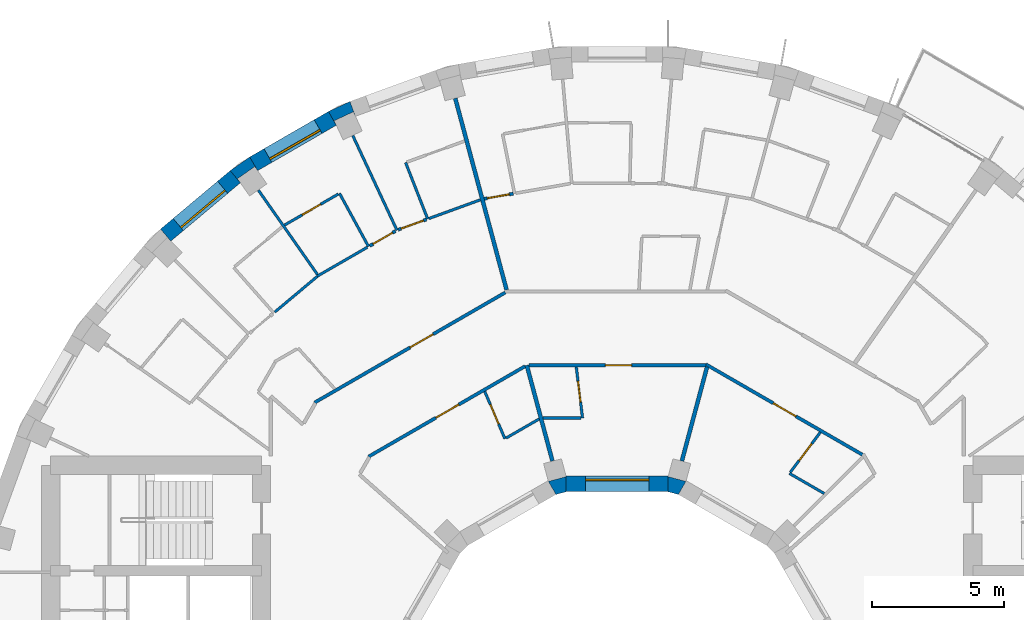
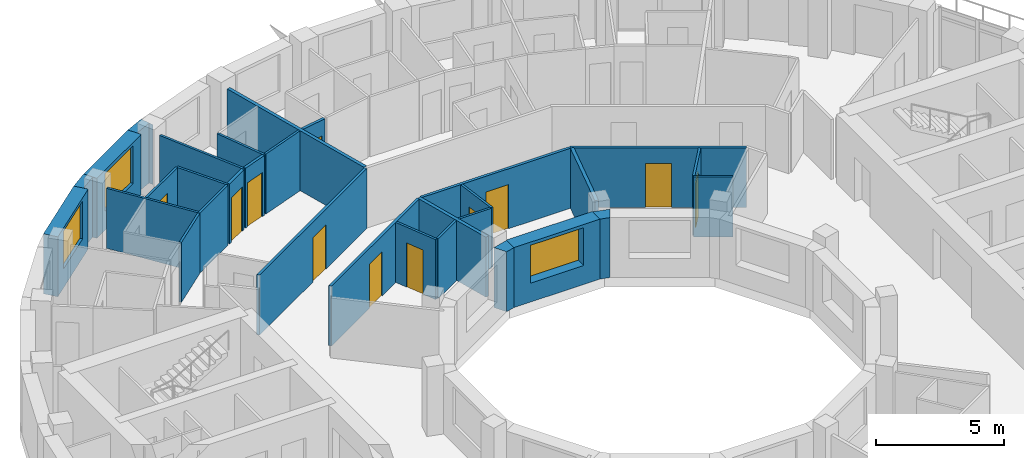
# One storey, part 11 of 15: 31 walls, 11 doors, 3 windows, 14 openings.
"""IFC4 building model written with IfcOpenShell, lengths in metres."""

from ifc_helpers import new_model, si_unit, direction, frame, frame_2d, origin, place, context, subcontext, project, spatial, polyline, rectangle, outline, extrude, material, layer, layer_set, type_object, element, fill, save


model = new_model("IFC4")

# Units and contexts
model_context = context("Model", 3, precision=1e-05, world=origin(), true_north=direction((0.0, 1.0)))
body_context = subcontext(model_context, "Body", "Model", "MODEL_VIEW")
ifc_project = project(units=[si_unit("LENGTHUNIT", "METRE"), si_unit("AREAUNIT", "SQUARE_METRE"), si_unit("VOLUMEUNIT", "CUBIC_METRE"), si_unit("PLANEANGLEUNIT", "RADIAN"), si_unit("MASSUNIT", "GRAM", prefix="KILO")], contexts=[model_context])

# Site, building, storey
site_placement = place(None, origin())
site = spatial("IfcSite", under=ifc_project, at=site_placement, CompositionType="ELEMENT")
building_placement = place(site_placement, origin())
building = spatial("IfcBuilding", under=site, at=building_placement, Name="Saqina Gate Tower", CompositionType="ELEMENT")
storey_placement = place(building_placement, frame((0.0, 0.0, 197.10009765625)))
storey = spatial("IfcBuildingStorey", under=building, at=storey_placement, Name="L56", CompositionType="ELEMENT", Elevation=197.10009765625)

# Walls
ifc_material_1 = material(Name="Brick masonry (buff)", Category="masonry")
wall_type_1 = type_object("IfcWallType", Name="BRICK PIER COPING BUFF", PredefinedType="SOLIDWALL", material=ifc_material_1)
wall_1_placement = place(storey_placement, origin())
element("IfcWall", 1, at=wall_1_placement, inside=storey, type_object=wall_type_1, Name="Pier cap L56 column 12", PredefinedType="SOLIDWALL", context=body_context, shape_type="SweptSolid", body=[
    extrude(outline(polyline([(-10.958740234375, 22.4306640625), (-10.65869140625, 21.9111328125), (-10.73779296875, 22.080810546875), (-10.0126953125, 22.4189453125), (-9.93359375, 22.249267578125), (-10.138916015625, 22.81298828125), (-10.958740234375, 22.4306640625)])), origin(), (0.0, 0.0, 1.0), 2.849853515625),
])
wall_2_placement = place(storey_placement, origin())
element("IfcWall", 2, at=wall_2_placement, inside=storey, type_object=wall_type_1, Name="Pier cap L56 column 13", PredefinedType="SOLIDWALL", context=body_context, shape_type="SweptSolid", body=[
    extrude(outline(polyline([(-13.9462890625, 20.705810546875), (-14.687255859375, 20.18701171875), (-14.301513671875, 19.727294921875), (-14.408935546875, 19.880859375), (-13.753662109375, 20.339599609375), (-13.646240234375, 20.186279296875), (-13.9462890625, 20.705810546875)])), origin(), (0.0, 0.0, 1.0), 2.849853515625),
])

# Wall, opening, window
ifc_material_2 = material(Name="Brick masonry (buff)", Category="masonry")
ifc_layer_1 = layer(ifc_material_2, 0.60009765625)
ifc_layer_set_1 = layer_set([ifc_layer_1], Name="FW-BRICK-BUFF")
wall_type_2 = type_object("IfcWallType", Name="FW-BRICK-BUFF", PredefinedType="SOLIDWALL", material=ifc_layer_set_1)
wall_3_placement = place(storey_placement, frame((-10.80859375, 22.1708984375, 0.0), z_axis=(0.0, 0.0, 1.0), x_axis=(-0.86602648383, -0.499998129301, 0.0)))
wall_3 = element("IfcWall", 3, at=wall_3_placement, inside=storey, type_object=wall_type_2, Name="Facade wall L56 facet 12", PredefinedType="SOLIDWALL", context=body_context, shape_type="SweptSolid", body=[
    extrude(rectangle(XDim=3.44970703125, YDim=0.60009765625, at=frame_2d((1.724853515625, 0.0))), origin(), (0.0, 0.0, 1.0), 2.849853515625),
])
opening_1_placement = place(wall_3_placement, frame((0.625, 0.0, 0.89990234375)))
opening_1 = element("IfcOpeningElement", 4, at=opening_1_placement, cuts=wall_3, Name="Opening G16-W06", PredefinedType="OPENING", context=body_context, shape_type="SweptSolid", body=[
    extrude(rectangle(XDim=2.199951171875, YDim=1.800048828125, at=frame_2d((1.10009765625, 0.89990234375))), frame((0.0, 0.31201171875, 0.0), z_axis=(0.0, -1.0, 0.0), x_axis=(1.0, 0.0, 0.0)), (0.0, 0.0, 1.0), 0.6240234375),
])
ifc_material_3 = material(Name="Aluminium glazing", Category="aluminium")
window_type_1 = type_object("IfcWindowType", Name="WN-C", PartitioningType="SINGLE_PANEL", PredefinedType="WINDOW", material=ifc_material_3)
window_1_placement = place(opening_1_placement, origin())
window_1 = element("IfcWindow", 5, at=window_1_placement, inside=storey, type_object=window_type_1, Name="Window L56 facet 12", OverallHeight=1.800048828125, OverallWidth=2.199951171875, PartitioningType="SINGLE_PANEL", PredefinedType="WINDOW", context=body_context, shape_type="SweptSolid", body=[
    extrude(rectangle(XDim=2.199951171875, YDim=1.800048828125, at=frame_2d((1.10009765625, 0.89990234375))), frame((0.0, 0.179931640625, 0.0), z_axis=(0.0, -1.0, 0.0), x_axis=(1.0, 0.0, 0.0)), (0.0, 0.0, 1.0), 0.06005859375),
])
fill(opening_1, window_1)

wall_4_placement = place(storey_placement, frame((-14.494384765625, 19.95703125, 0.0), z_axis=(0.0, 0.0, 1.0), x_axis=(-0.766058884809, -0.642770398358, 0.0)))
wall_4 = element("IfcWall", 6, at=wall_4_placement, inside=storey, type_object=wall_type_2, Name="Facade wall L56 facet 13", PredefinedType="SOLIDWALL", context=body_context, shape_type="SweptSolid", body=[
    extrude(rectangle(XDim=3.449462890625, YDim=0.60009765625, at=frame_2d((1.724609375, 0.0))), origin(), (0.0, 0.0, 1.0), 2.849853515625),
])
opening_2_placement = place(wall_4_placement, frame((0.625, 0.0, 0.89990234375)))
opening_2 = element("IfcOpeningElement", 7, at=opening_2_placement, cuts=wall_4, Name="Opening G16-W07", PredefinedType="OPENING", context=body_context, shape_type="SweptSolid", body=[
    extrude(rectangle(XDim=2.199951171875, YDim=1.800048828125, at=frame_2d((1.10009765625, 0.89990234375))), frame((0.0, 0.31201171875, 0.0), z_axis=(0.0, -1.0, 0.0), x_axis=(1.0, 0.0, 0.0)), (0.0, 0.0, 1.0), 0.6240234375),
])
window_2_placement = place(opening_2_placement, origin())
window_2 = element("IfcWindow", 8, at=window_2_placement, inside=storey, type_object=window_type_1, Name="Window L56 facet 13", OverallHeight=1.800048828125, OverallWidth=2.199951171875, PartitioningType="SINGLE_PANEL", PredefinedType="WINDOW", context=body_context, shape_type="SweptSolid", body=[
    extrude(rectangle(XDim=2.199951171875, YDim=1.800048828125, at=frame_2d((1.10009765625, 0.89990234375))), frame((0.0, 0.179931640625, 0.0), z_axis=(0.0, -1.0, 0.0), x_axis=(1.0, 0.0, 0.0)), (0.0, 0.0, 1.0), 0.06005859375),
])
fill(opening_2, window_2)

ifc_material_4 = material(Name="Glazed ceramic tile", Category="ceramic")
ifc_layer_2 = layer(ifc_material_4, 0.60009765625)
ifc_layer_set_2 = layer_set([ifc_layer_2], Name="IW-TILE")
wall_type_3 = type_object("IfcWallType", Name="IW-TILE", PredefinedType="SOLIDWALL", material=ifc_layer_set_2)
wall_5_placement = place(storey_placement, frame((1.934814453125, 8.300048828125, 0.0), z_axis=(0.0, 0.0, 1.0), x_axis=(-1.0, 0.0, 0.0)))
wall_5 = element("IfcWall", 9, at=wall_5_placement, inside=storey, type_object=wall_type_3, Name="Well wall L56 facet 3", PredefinedType="SOLIDWALL", context=body_context, shape_type="SweptSolid", body=[
    extrude(rectangle(XDim=3.86962890625, YDim=0.60009765625, at=frame_2d((1.934814453125, 0.0))), origin(), (0.0, 0.0, 1.0), 2.849853515625),
])
opening_3_placement = place(wall_5_placement, frame((0.73486328125, 0.0, 0.89990234375)))
opening_3 = element("IfcOpeningElement", 10, at=opening_3_placement, cuts=wall_5, Name="Opening G16-W25", PredefinedType="OPENING", context=body_context, shape_type="SweptSolid", body=[
    extrude(rectangle(XDim=2.39990234375, YDim=1.800048828125, at=frame_2d((1.199951171875, 0.89990234375))), frame((0.0, 0.31201171875, 0.0), z_axis=(0.0, -1.0, 0.0), x_axis=(1.0, 0.0, 0.0)), (0.0, 0.0, 1.0), 0.6240234375),
])
ifc_material_5 = material(Name="Aluminium glazing", Category="aluminium")
window_type_2 = type_object("IfcWindowType", Name="WN-W", PartitioningType="SINGLE_PANEL", PredefinedType="WINDOW", material=ifc_material_5)
window_3_placement = place(opening_3_placement, origin())
window_3 = element("IfcWindow", 11, at=window_3_placement, inside=storey, type_object=window_type_2, Name="Well window L56 facet 3", OverallHeight=1.800048828125, OverallWidth=2.39990234375, PartitioningType="SINGLE_PANEL", PredefinedType="WINDOW", context=body_context, shape_type="SweptSolid", body=[
    extrude(rectangle(XDim=2.39990234375, YDim=1.800048828125, at=frame_2d((1.199951171875, 0.89990234375))), frame((0.0, -0.119873046875, 0.0), z_axis=(0.0, -1.0, 0.0), x_axis=(1.0, 0.0, 0.0)), (0.0, 0.0, 1.0), 0.06005859375),
])
fill(opening_3, window_3)

# Wall, opening, door
ifc_material_6 = material(Name="Gypsum board on steel studs, 100 mm", Category="steel")
ifc_layer_3 = layer(ifc_material_6, 0.10009765625)
ifc_layer_set_3 = layer_set([ifc_layer_3], Name="PARTITION 100")
wall_type_4 = type_object("IfcWallType", Name="PARTITION 100", PredefinedType="PARTITIONING", material=ifc_layer_set_3)
wall_6_placement = place(storey_placement, frame((-1.551513671875, 12.738037109375, 0.0), z_axis=(0.0, 0.0, 1.0), x_axis=(0.121171579545, -0.992631577329, 0.0)))
wall_6 = element("IfcWall", 12, at=wall_6_placement, inside=storey, type_object=wall_type_4, Name="PARTITION PW3-05", PredefinedType="PARTITIONING", context=body_context, shape_type="SweptSolid", body=[
    extrude(rectangle(XDim=1.952392578125, YDim=0.10009765625, at=frame_2d((0.97607421875, 0.0))), origin(), (0.0, 0.0, 1.0), 2.849853515625),
])
opening_4_placement = place(wall_6_placement, frame((0.544921875, 0.0, 0.0)))
opening_4 = element("IfcOpeningElement", 13, at=opening_4_placement, cuts=wall_6, Name="Opening G16-D18", PredefinedType="OPENING", context=body_context, shape_type="SweptSolid", body=[
    extrude(rectangle(XDim=0.800048828125, YDim=2.10009765625, at=frame_2d((0.39990234375, 1.050048828125))), frame((0.0, 0.06201171875, 0.0), z_axis=(0.0, -1.0, 0.0), x_axis=(1.0, 0.0, 0.0)), (0.0, 0.0, 1.0), 0.1240234375),
])
ifc_material_7 = material(Name="Timber door leaf, 800 mm", Category="wood")
door_type_1 = type_object("IfcDoorType", Name="DOOR 800 TIMBER", OperationType="SINGLE_SWING_LEFT", PredefinedType="DOOR", material=ifc_material_7)
door_1_placement = place(opening_4_placement, origin())
door_1 = element("IfcDoor", 14, at=door_1_placement, inside=storey, type_object=door_type_1, Name="DOOR G16-D18", OperationType="SINGLE_SWING_LEFT", OverallHeight=2.10009765625, OverallWidth=0.800048828125, PredefinedType="DOOR", context=body_context, shape_type="SweptSolid", body=[
    extrude(rectangle(XDim=0.800048828125, YDim=2.10009765625, at=frame_2d((0.39990234375, 1.050048828125))), frame((0.0, 0.02490234375, 0.0), z_axis=(0.0, -1.0, 0.0), x_axis=(1.0, 0.0, 0.0)), (0.0, 0.0, 1.0), 0.050048828125),
])
fill(opening_4, door_1)

# Wall
wall_7_placement = place(storey_placement, frame((-8.030029296875, 20.493896484375, 0.0), z_axis=(0.0, 0.0, 1.0), x_axis=(0.364775478286, -0.931095510912, 0.0)))
element("IfcWall", 15, at=wall_7_placement, inside=storey, type_object=wall_type_4, Name="PARTITION PW3-10", PredefinedType="PARTITIONING", context=body_context, shape_type="SweptSolid", body=[
    extrude(rectangle(XDim=2.30029296875, YDim=0.10009765625, at=frame_2d((1.150146484375, 0.0))), origin(), (0.0, 0.0, 1.0), 2.849853515625),
])

# Wall, opening, door
wall_8_placement = place(storey_placement, frame((-5.025634765625, 11.806396484375, 0.0), z_axis=(0.0, 0.0, 1.0), x_axis=(0.391834610446, -0.920035672165, 0.0)))
wall_8 = element("IfcWall", 16, at=wall_8_placement, inside=storey, type_object=wall_type_4, Name="PARTITION PW3-12", PredefinedType="PARTITIONING", context=body_context, shape_type="SweptSolid", body=[
    extrude(rectangle(XDim=1.951416015625, YDim=0.10009765625, at=frame_2d((0.9755859375, 0.0))), origin(), (0.0, 0.0, 1.0), 2.849853515625),
])
opening_5_placement = place(wall_8_placement, frame((0.54443359375, 0.0, 0.0)))
opening_5 = element("IfcOpeningElement", 17, at=opening_5_placement, cuts=wall_8, Name="Opening G16-D22", PredefinedType="OPENING", context=body_context, shape_type="SweptSolid", body=[
    extrude(rectangle(XDim=0.800048828125, YDim=2.10009765625, at=frame_2d((0.39990234375, 1.050048828125))), frame((0.0, 0.06201171875, 0.0), z_axis=(0.0, -1.0, 0.0), x_axis=(1.0, 0.0, 0.0)), (0.0, 0.0, 1.0), 0.1240234375),
])
door_2_placement = place(opening_5_placement, frame((0.800048828125, 0.0, 0.0), z_axis=(0.0, 0.0, 1.0), x_axis=(-1.0, 0.0, 0.0)))
door_2 = element("IfcDoor", 18, at=door_2_placement, inside=storey, type_object=door_type_1, Name="DOOR G16-D22", OperationType="SINGLE_SWING_RIGHT", OverallHeight=2.10009765625, OverallWidth=0.800048828125, PredefinedType="DOOR", context=body_context, shape_type="SweptSolid", body=[
    extrude(rectangle(XDim=0.800048828125, YDim=2.10009765625, at=frame_2d((0.39990234375, 1.050048828125))), frame((0.0, 0.02490234375, 0.0), z_axis=(0.0, -1.0, 0.0), x_axis=(1.0, 0.0, 0.0)), (0.0, 0.0, 1.0), 0.050048828125),
])
fill(opening_5, door_2)

# Walls
wall_9_placement = place(storey_placement, frame((-10.032958984375, 21.515869140625, 0.0), z_axis=(0.0, 0.0, 1.0), x_axis=(0.422733584559, -0.90625400219, 0.0)))
element("IfcWall", 19, at=wall_9_placement, inside=storey, type_object=wall_type_4, Name="PARTITION PW3-13", PredefinedType="PARTITIONING", context=body_context, shape_type="SweptSolid", body=[
    extrude(rectangle(XDim=3.960205078125, YDim=0.10009765625, at=frame_2d((1.97998046875, 0.0))), origin(), (0.0, 0.0, 1.0), 2.849853515625),
])
wall_10_placement = place(storey_placement, frame((-10.5380859375, 19.324951171875, 0.0), z_axis=(0.0, 0.0, 1.0), x_axis=(0.478926465157, -0.877855022753, 0.0)))
element("IfcWall", 20, at=wall_10_placement, inside=storey, type_object=wall_type_4, Name="PARTITION PW3-14", PredefinedType="PARTITIONING", context=body_context, shape_type="SweptSolid", body=[
    extrude(rectangle(XDim=2.301025390625, YDim=0.10009765625, at=frame_2d((1.150390625, 0.0))), origin(), (0.0, 0.0, 1.0), 2.849853515625),
])
wall_11_placement = place(storey_placement, frame((-13.616943359375, 19.446533203125, 0.0), z_axis=(0.0, 0.0, 1.0), x_axis=(0.573546149397, -0.819173250608, 0.0)))
element("IfcWall", 21, at=wall_11_placement, inside=storey, type_object=wall_type_4, Name="PARTITION PW3-18", PredefinedType="PARTITIONING", context=body_context, shape_type="SweptSolid", body=[
    extrude(rectangle(XDim=3.91015625, YDim=0.10009765625, at=frame_2d((1.955078125, 0.0))), origin(), (0.0, 0.0, 1.0), 2.849853515625),
])
wall_12_placement = place(storey_placement, frame((6.5390625, 8.696044921875, 0.0), z_axis=(0.0, 0.0, 1.0), x_axis=(0.86577590921, -0.500431888503, 0.0)))
element("IfcWall", 22, at=wall_12_placement, inside=storey, type_object=wall_type_4, Name="PARTITION PW3-38", PredefinedType="PARTITIONING", context=body_context, shape_type="SweptSolid", body=[
    extrude(rectangle(XDim=1.529052734375, YDim=0.10009765625, at=frame_2d((0.7646484375, 0.0))), origin(), (0.0, 0.0, 1.0), 2.849853515625),
])
wall_13_placement = place(storey_placement, frame((-2.819091796875, 10.800048828125, 0.0), z_axis=(0.0, 0.0, 1.0), x_axis=(1.0, 0.0, 0.0)))
element("IfcWall", 23, at=wall_13_placement, inside=storey, type_object=wall_type_4, Name="PARTITION PW3-55", PredefinedType="PARTITIONING", context=body_context, shape_type="SweptSolid", body=[
    extrude(rectangle(XDim=1.4541015625, YDim=0.10009765625, at=frame_2d((0.72705078125, 0.0))), origin(), (0.0, 0.0, 1.0), 2.849853515625),
])
wall_14_placement = place(storey_placement, frame((-7.14404296875, 18.369140625, 0.0), z_axis=(0.0, 0.0, 1.0), x_axis=(0.939728291625, 0.341922122596, 0.0)))
element("IfcWall", 24, at=wall_14_placement, inside=storey, type_object=wall_type_4, Name="PARTITION PW3-65", PredefinedType="PARTITIONING", context=body_context, shape_type="SweptSolid", body=[
    extrude(rectangle(XDim=2.079833984375, YDim=0.10009765625, at=frame_2d((1.0400390625, 0.0))), origin(), (0.0, 0.0, 1.0), 2.849853515625),
])
wall_15_placement = place(storey_placement, frame((-4.2177734375, 10.035888671875, 0.0), z_axis=(0.0, 0.0, 1.0), x_axis=(0.866084894657, 0.499896944627, 0.0)))
element("IfcWall", 25, at=wall_15_placement, inside=storey, type_object=wall_type_4, Name="PARTITION PW3-71", PredefinedType="PARTITIONING", context=body_context, shape_type="SweptSolid", body=[
    extrude(rectangle(XDim=1.453369140625, YDim=0.10009765625, at=frame_2d((0.7265625, 0.0))), origin(), (0.0, 0.0, 1.0), 2.849853515625),
])
wall_16_placement = place(storey_placement, frame((-11.388916015625, 16.177734375, 0.0), z_axis=(0.0, 0.0, 1.0), x_axis=(0.866074964767, 0.499914148034, 0.0)))
element("IfcWall", 26, at=wall_16_placement, inside=storey, type_object=wall_type_4, Name="PARTITION PW3-73", PredefinedType="PARTITIONING", context=body_context, shape_type="SweptSolid", body=[
    extrude(rectangle(XDim=2.205078125, YDim=0.10009765625, at=frame_2d((1.1025390625, 0.0))), origin(), (0.0, 0.0, 1.0), 2.849853515625),
])

# Wall, opening, door
wall_17_placement = place(storey_placement, frame((-12.626708984375, 18.118896484375, 0.0), z_axis=(0.0, 0.0, 1.0), x_axis=(0.865982457891, 0.500074377092, 0.0)))
wall_17 = element("IfcWall", 27, at=wall_17_placement, inside=storey, type_object=wall_type_4, Name="PARTITION PW3-74", PredefinedType="PARTITIONING", context=body_context, shape_type="SweptSolid", body=[
    extrude(rectangle(XDim=2.362060546875, YDim=0.10009765625, at=frame_2d((1.18115234375, 0.0))), origin(), (0.0, 0.0, 1.0), 2.849853515625),
])
opening_6_placement = place(wall_17_placement, frame((0.781005859375, 0.0, 0.0)))
opening_6 = element("IfcOpeningElement", 28, at=opening_6_placement, cuts=wall_17, Name="Opening G16-D27", PredefinedType="OPENING", context=body_context, shape_type="SweptSolid", body=[
    extrude(rectangle(XDim=0.800048828125, YDim=2.10009765625, at=frame_2d((0.39990234375, 1.050048828125))), frame((0.0, 0.06201171875, 0.0), z_axis=(0.0, -1.0, 0.0), x_axis=(1.0, 0.0, 0.0)), (0.0, 0.0, 1.0), 0.1240234375),
])
door_3_placement = place(opening_6_placement, origin())
door_3 = element("IfcDoor", 29, at=door_3_placement, inside=storey, type_object=door_type_1, Name="DOOR G16-D27", OperationType="SINGLE_SWING_LEFT", OverallHeight=2.10009765625, OverallWidth=0.800048828125, PredefinedType="DOOR", context=body_context, shape_type="SweptSolid", body=[
    extrude(rectangle(XDim=0.800048828125, YDim=2.10009765625, at=frame_2d((0.39990234375, 1.050048828125))), frame((0.0, 0.02490234375, 0.0), z_axis=(0.0, -1.0, 0.0), x_axis=(1.0, 0.0, 0.0)), (0.0, 0.0, 1.0), 0.050048828125),
])
fill(opening_6, door_3)

# Wall
wall_18_placement = place(storey_placement, frame((-12.99560546875, 14.818115234375, 0.0), z_axis=(0.0, 0.0, 1.0), x_axis=(0.766068087891, 0.642759429892, 0.0)))
element("IfcWall", 30, at=wall_18_placement, inside=storey, type_object=wall_type_4, Name="PARTITION PW3-77", PredefinedType="PARTITIONING", context=body_context, shape_type="SweptSolid", body=[
    extrude(rectangle(XDim=2.104736328125, YDim=0.10009765625, at=frame_2d((1.05224609375, 0.0))), origin(), (0.0, 0.0, 1.0), 2.849853515625),
])

# Wall, opening, door
wall_19_placement = place(storey_placement, frame((6.569091796875, 8.73583984375, 0.0), z_axis=(0.0, 0.0, 1.0), x_axis=(0.601088130312, 0.799182744808, 0.0)))
wall_19 = element("IfcWall", 31, at=wall_19_placement, inside=storey, type_object=wall_type_4, Name="PARTITION PW3-85", PredefinedType="PARTITIONING", context=body_context, shape_type="SweptSolid", body=[
    extrude(rectangle(XDim=1.901611328125, YDim=0.10009765625, at=frame_2d((0.95068359375, 0.0))), origin(), (0.0, 0.0, 1.0), 2.849853515625),
])
opening_7_placement = place(wall_19_placement, frame((0.557373046875, 0.0, 0.0)))
opening_7 = element("IfcOpeningElement", 32, at=opening_7_placement, cuts=wall_19, Name="Opening G16-D04", PredefinedType="OPENING", context=body_context, shape_type="SweptSolid", body=[
    extrude(rectangle(XDim=0.800048828125, YDim=2.10009765625, at=frame_2d((0.39990234375, 1.050048828125))), frame((0.0, 0.06201171875, 0.0), z_axis=(0.0, -1.0, 0.0), x_axis=(1.0, 0.0, 0.0)), (0.0, 0.0, 1.0), 0.1240234375),
])
door_4_placement = place(opening_7_placement, origin())
door_4 = element("IfcDoor", 33, at=door_4_placement, inside=storey, type_object=door_type_1, Name="DOOR G16-D04", OperationType="SINGLE_SWING_RIGHT", OverallHeight=2.10009765625, OverallWidth=0.800048828125, PredefinedType="DOOR", context=body_context, shape_type="SweptSolid", body=[
    extrude(rectangle(XDim=0.800048828125, YDim=2.10009765625, at=frame_2d((0.39990234375, 1.050048828125))), frame((0.0, 0.02490234375, 0.0), z_axis=(0.0, -1.0, 0.0), x_axis=(1.0, 0.0, 0.0)), (0.0, 0.0, 1.0), 0.050048828125),
])
fill(opening_7, door_4)

ifc_material_8 = material(Name="Gypsum board on steel studs, 125 mm, fire rated", Category="steel")
ifc_layer_4 = layer(ifc_material_8, 0.125)
ifc_layer_set_4 = layer_set([ifc_layer_4], Name="PARTITION EI 30 125")
wall_type_5 = type_object("IfcWallType", Name="PARTITION EI 30 125", PredefinedType="PARTITIONING", material=ifc_layer_set_4)
wall_20_placement = place(storey_placement, frame((3.367431640625, 12.836181640625, 0.0), z_axis=(0.0, 0.0, 1.0), x_axis=(0.865996765544, -0.500049599607, 0.0)))
wall_20 = element("IfcWall", 34, at=wall_20_placement, inside=storey, type_object=wall_type_5, Name="PARTITION PW1-15", PredefinedType="PARTITIONING", context=body_context, shape_type="SweptSolid", body=[
    extrude(rectangle(XDim=6.868896484375, YDim=0.125, at=frame_2d((3.4345703125, 0.0))), origin(), (0.0, 0.0, 1.0), 2.849853515625),
])
opening_8_placement = place(wall_20_placement, frame((2.950927734375, 0.0, 0.0)))
opening_8 = element("IfcOpeningElement", 35, at=opening_8_placement, cuts=wall_20, Name="Opening G16-D06", PredefinedType="OPENING", context=body_context, shape_type="SweptSolid", body=[
    extrude(rectangle(XDim=1.0, YDim=2.10009765625, at=frame_2d((0.5, 1.050048828125))), frame((0.0, 0.074462890625, 0.0), z_axis=(0.0, -1.0, 0.0), x_axis=(1.0, 0.0, 0.0)), (0.0, 0.0, 1.0), 0.14892578125),
])
ifc_material_9 = material(Name="Fire door leaf EI 30, 1000 mm")
door_type_2 = type_object("IfcDoorType", Name="DOOR 1000 EI 30", OperationType="SINGLE_SWING_LEFT", PredefinedType="DOOR", material=ifc_material_9)
door_5_placement = place(opening_8_placement, frame((1.0, 0.0, 0.0), z_axis=(0.0, 0.0, 1.0), x_axis=(-1.0, 0.0, 0.0)))
door_5 = element("IfcDoor", 36, at=door_5_placement, inside=storey, type_object=door_type_2, Name="DOOR G16-D06", OperationType="SINGLE_SWING_LEFT", OverallHeight=2.10009765625, OverallWidth=1.0, PredefinedType="DOOR", context=body_context, shape_type="SweptSolid", body=[
    extrude(rectangle(XDim=1.0, YDim=2.10009765625, at=frame_2d((0.5, 1.050048828125))), frame((0.0, 0.02490234375, 0.0), z_axis=(0.0, -1.0, 0.0), x_axis=(1.0, 0.0, 0.0)), (0.0, 0.0, 1.0), 0.050048828125),
])
fill(opening_8, door_5)

wall_21_placement = place(storey_placement, frame((-3.35498046875, 12.800048828125, 0.0), z_axis=(0.0, 0.0, 1.0), x_axis=(1.0, 0.0, 0.0)))
wall_21 = element("IfcWall", 37, at=wall_21_placement, inside=storey, type_object=wall_type_5, Name="PARTITION PW1-25", PredefinedType="PARTITIONING", context=body_context, shape_type="SweptSolid", body=[
    extrude(rectangle(XDim=6.722412109375, YDim=0.125, at=frame_2d((3.361328125, 0.0))), origin(), (0.0, 0.0, 1.0), 2.849853515625),
])
opening_9_placement = place(wall_21_placement, frame((2.905517578125, 0.0, 0.0)))
opening_9 = element("IfcOpeningElement", 38, at=opening_9_placement, cuts=wall_21, Name="Opening G16-D16", PredefinedType="OPENING", context=body_context, shape_type="SweptSolid", body=[
    extrude(rectangle(XDim=1.0, YDim=2.10009765625, at=frame_2d((0.5, 1.050048828125))), frame((0.0, 0.074462890625, 0.0), z_axis=(0.0, -1.0, 0.0), x_axis=(1.0, 0.0, 0.0)), (0.0, 0.0, 1.0), 0.14892578125),
])
door_6_placement = place(opening_9_placement, frame((1.0, 0.0, 0.0), z_axis=(0.0, 0.0, 1.0), x_axis=(-1.0, 0.0, 0.0)))
door_6 = element("IfcDoor", 39, at=door_6_placement, inside=storey, type_object=door_type_2, Name="DOOR G16-D16", OperationType="SINGLE_SWING_LEFT", OverallHeight=2.10009765625, OverallWidth=1.0, PredefinedType="DOOR", context=body_context, shape_type="SweptSolid", body=[
    extrude(rectangle(XDim=1.0, YDim=2.10009765625, at=frame_2d((0.5, 1.050048828125))), frame((0.0, 0.02490234375, 0.0), z_axis=(0.0, -1.0, 0.0), x_axis=(1.0, 0.0, 0.0)), (0.0, 0.0, 1.0), 0.050048828125),
])
fill(opening_9, door_6)

wall_22_placement = place(storey_placement, frame((-5.045166015625, 19.119140625, 0.0), z_axis=(0.0, 0.0, 1.0), x_axis=(0.984809932548, 0.173635816451, 0.0)))
wall_22 = element("IfcWall", 40, at=wall_22_placement, inside=storey, type_object=wall_type_5, Name="PARTITION PW1-29", PredefinedType="PARTITIONING", context=body_context, shape_type="SweptSolid", body=[
    extrude(rectangle(XDim=1.117919921875, YDim=0.125, at=frame_2d((0.55908203125, 0.0))), origin(), (0.0, 0.0, 1.0), 2.849853515625),
])
opening_10_placement = place(wall_22_placement, frame((0.12158203125, 0.0, 0.0)))
opening_10 = element("IfcOpeningElement", 41, at=opening_10_placement, cuts=wall_22, Name="Opening G16-D20", PredefinedType="OPENING", context=body_context, shape_type="SweptSolid", body=[
    extrude(rectangle(XDim=0.85009765625, YDim=2.10009765625, at=frame_2d((0.425048828125, 1.050048828125))), frame((0.0, 0.074462890625, 0.0), z_axis=(0.0, -1.0, 0.0), x_axis=(1.0, 0.0, 0.0)), (0.0, 0.0, 1.0), 0.14892578125),
])
ifc_material_10 = material(Name="Fire door leaf EI 30, 850 mm")
door_type_3 = type_object("IfcDoorType", Name="DOOR 850 EI 30", OperationType="SINGLE_SWING_LEFT", PredefinedType="DOOR", material=ifc_material_10)
door_7_placement = place(opening_10_placement, frame((0.85009765625, 0.0, 0.0), z_axis=(0.0, 0.0, 1.0), x_axis=(-1.0, 0.0, 0.0)))
door_7 = element("IfcDoor", 42, at=door_7_placement, inside=storey, type_object=door_type_3, Name="DOOR G16-D20", OperationType="SINGLE_SWING_RIGHT", OverallHeight=2.10009765625, OverallWidth=0.85009765625, PredefinedType="DOOR", context=body_context, shape_type="SweptSolid", body=[
    extrude(rectangle(XDim=0.85009765625, YDim=2.10009765625, at=frame_2d((0.425048828125, 1.050048828125))), frame((0.0, 0.02490234375, 0.0), z_axis=(0.0, -1.0, 0.0), x_axis=(1.0, 0.0, 0.0)), (0.0, 0.0, 1.0), 0.050048828125),
])
fill(opening_10, door_7)

wall_23_placement = place(storey_placement, frame((-8.31201171875, 17.944091796875, 0.0), z_axis=(0.0, 0.0, 1.0), x_axis=(0.939699833517, 0.34200032586, 0.0)))
wall_23 = element("IfcWall", 43, at=wall_23_placement, inside=storey, type_object=wall_type_5, Name="PARTITION PW1-31", PredefinedType="PARTITIONING", context=body_context, shape_type="SweptSolid", body=[
    extrude(rectangle(XDim=1.142822265625, YDim=0.125, at=frame_2d((0.5712890625, 0.0))), origin(), (0.0, 0.0, 1.0), 2.849853515625),
])
opening_11_placement = place(wall_23_placement, frame((0.12158203125, 0.0, 0.0)))
opening_11 = element("IfcOpeningElement", 44, at=opening_11_placement, cuts=wall_23, Name="Opening G16-D23", PredefinedType="OPENING", context=body_context, shape_type="SweptSolid", body=[
    extrude(rectangle(XDim=0.89990234375, YDim=2.10009765625, at=frame_2d((0.449951171875, 1.050048828125))), frame((0.0, 0.074462890625, 0.0), z_axis=(0.0, -1.0, 0.0), x_axis=(1.0, 0.0, 0.0)), (0.0, 0.0, 1.0), 0.14892578125),
])
ifc_material_11 = material(Name="Fire door leaf EI 30, 900 mm")
door_type_4 = type_object("IfcDoorType", Name="DOOR 900 EI 30", OperationType="SINGLE_SWING_LEFT", PredefinedType="DOOR", material=ifc_material_11)
door_8_placement = place(opening_11_placement, frame((0.89990234375, 0.0, 0.0), z_axis=(0.0, 0.0, 1.0), x_axis=(-1.0, 0.0, 0.0)))
door_8 = element("IfcDoor", 45, at=door_8_placement, inside=storey, type_object=door_type_4, Name="DOOR G16-D23", OperationType="SINGLE_SWING_RIGHT", OverallHeight=2.10009765625, OverallWidth=0.89990234375, PredefinedType="DOOR", context=body_context, shape_type="SweptSolid", body=[
    extrude(rectangle(XDim=0.89990234375, YDim=2.10009765625, at=frame_2d((0.449951171875, 1.050048828125))), frame((0.0, 0.02490234375, 0.0), z_axis=(0.0, -1.0, 0.0), x_axis=(1.0, 0.0, 0.0)), (0.0, 0.0, 1.0), 0.050048828125),
])
fill(opening_11, door_8)

wall_24_placement = place(storey_placement, frame((-9.432373046875, 9.333984375, 0.0), z_axis=(0.0, 0.0, 1.0), x_axis=(0.865997009199, 0.500049177639, 0.0)))
wall_24 = element("IfcWall", 46, at=wall_24_placement, inside=storey, type_object=wall_type_5, Name="PARTITION PW1-35", PredefinedType="PARTITIONING", context=body_context, shape_type="SweptSolid", body=[
    extrude(rectangle(XDim=6.856201171875, YDim=0.125, at=frame_2d((3.42822265625, 0.0))), origin(), (0.0, 0.0, 1.0), 2.849853515625),
])
opening_12_placement = place(wall_24_placement, frame((2.950927734375, 0.0, 0.0)))
opening_12 = element("IfcOpeningElement", 47, at=opening_12_placement, cuts=wall_24, Name="Opening G16-D26", PredefinedType="OPENING", context=body_context, shape_type="SweptSolid", body=[
    extrude(rectangle(XDim=1.0, YDim=2.10009765625, at=frame_2d((0.5, 1.050048828125))), frame((0.0, 0.074462890625, 0.0), z_axis=(0.0, -1.0, 0.0), x_axis=(1.0, 0.0, 0.0)), (0.0, 0.0, 1.0), 0.14892578125),
])
door_9_placement = place(opening_12_placement, frame((1.0, 0.0, 0.0), z_axis=(0.0, 0.0, 1.0), x_axis=(-1.0, 0.0, 0.0)))
door_9 = element("IfcDoor", 48, at=door_9_placement, inside=storey, type_object=door_type_2, Name="DOOR G16-D26", OperationType="SINGLE_SWING_LEFT", OverallHeight=2.10009765625, OverallWidth=1.0, PredefinedType="DOOR", context=body_context, shape_type="SweptSolid", body=[
    extrude(rectangle(XDim=1.0, YDim=2.10009765625, at=frame_2d((0.5, 1.050048828125))), frame((0.0, 0.02490234375, 0.0), z_axis=(0.0, -1.0, 0.0), x_axis=(1.0, 0.0, 0.0)), (0.0, 0.0, 1.0), 0.050048828125),
])
fill(opening_12, door_9)

wall_25_placement = place(storey_placement, frame((-11.482421875, 11.384033203125, 0.0), z_axis=(0.0, 0.0, 1.0), x_axis=(0.866032345022, 0.499987977232, 0.0)))
wall_25 = element("IfcWall", 49, at=wall_25_placement, inside=storey, type_object=wall_type_5, Name="PARTITION PW1-36", PredefinedType="PARTITIONING", context=body_context, shape_type="SweptSolid", body=[
    extrude(rectangle(XDim=8.357177734375, YDim=0.125, at=frame_2d((4.1787109375, 0.0))), origin(), (0.0, 0.0, 1.0), 2.849853515625),
])
opening_13_placement = place(wall_25_placement, frame((4.18408203125, 0.0, 0.0)))
opening_13 = element("IfcOpeningElement", 50, at=opening_13_placement, cuts=wall_25, Name="Opening G16-D25", PredefinedType="OPENING", context=body_context, shape_type="SweptSolid", body=[
    extrude(rectangle(XDim=1.0, YDim=2.10009765625, at=frame_2d((0.5, 1.050048828125))), frame((0.0, 0.074462890625, 0.0), z_axis=(0.0, -1.0, 0.0), x_axis=(1.0, 0.0, 0.0)), (0.0, 0.0, 1.0), 0.14892578125),
])
door_10_placement = place(opening_13_placement, origin())
door_10 = element("IfcDoor", 51, at=door_10_placement, inside=storey, type_object=door_type_2, Name="DOOR G16-D25", OperationType="SINGLE_SWING_RIGHT", OverallHeight=2.10009765625, OverallWidth=1.0, PredefinedType="DOOR", context=body_context, shape_type="SweptSolid", body=[
    extrude(rectangle(XDim=1.0, YDim=2.10009765625, at=frame_2d((0.5, 1.050048828125))), frame((0.0, 0.02490234375, 0.0), z_axis=(0.0, -1.0, 0.0), x_axis=(1.0, 0.0, 0.0)), (0.0, 0.0, 1.0), 0.050048828125),
])
fill(opening_13, door_10)

wall_26_placement = place(storey_placement, frame((-9.392822265625, 17.330078125, 0.0), z_axis=(0.0, 0.0, 1.0), x_axis=(0.866016678684, 0.500015112013, 0.0)))
wall_26 = element("IfcWall", 52, at=wall_26_placement, inside=storey, type_object=wall_type_5, Name="PARTITION PW1-37", PredefinedType="PARTITIONING", context=body_context, shape_type="SweptSolid", body=[
    extrude(rectangle(XDim=1.13134765625, YDim=0.125, at=frame_2d((0.565673828125, 0.0))), origin(), (0.0, 0.0, 1.0), 2.849853515625),
])
opening_14_placement = place(wall_26_placement, frame((0.14697265625, 0.0, 0.0)))
opening_14 = element("IfcOpeningElement", 53, at=opening_14_placement, cuts=wall_26, Name="Opening G16-D24", PredefinedType="OPENING", context=body_context, shape_type="SweptSolid", body=[
    extrude(rectangle(XDim=0.85009765625, YDim=2.10009765625, at=frame_2d((0.425048828125, 1.050048828125))), frame((0.0, 0.074462890625, 0.0), z_axis=(0.0, -1.0, 0.0), x_axis=(1.0, 0.0, 0.0)), (0.0, 0.0, 1.0), 0.14892578125),
])
door_11_placement = place(opening_14_placement, frame((0.85009765625, 0.0, 0.0), z_axis=(0.0, 0.0, 1.0), x_axis=(-1.0, 0.0, 0.0)))
door_11 = element("IfcDoor", 54, at=door_11_placement, inside=storey, type_object=door_type_3, Name="DOOR G16-D24", OperationType="SINGLE_SWING_LEFT", OverallHeight=2.10009765625, OverallWidth=0.85009765625, PredefinedType="DOOR", context=body_context, shape_type="SweptSolid", body=[
    extrude(rectangle(XDim=0.85009765625, YDim=2.10009765625, at=frame_2d((0.425048828125, 1.050048828125))), frame((0.0, 0.02490234375, 0.0), z_axis=(0.0, -1.0, 0.0), x_axis=(1.0, 0.0, 0.0)), (0.0, 0.0, 1.0), 0.050048828125),
])
fill(opening_14, door_11)

# Walls
ifc_material_12 = material(Name="Gypsum board on steel studs, 150 mm, fire rated", Category="steel")
ifc_layer_5 = layer(ifc_material_12, 0.14990234375)
ifc_layer_set_5 = layer_set([ifc_layer_5], Name="PARTITION EI 60 150")
wall_type_6 = type_object("IfcWallType", Name="PARTITION EI 60 150", PredefinedType="PARTITIONING", material=ifc_layer_set_5)
wall_27_placement = place(storey_placement, frame((-6.14453125, 22.93115234375, 0.0), z_axis=(0.0, 0.0, 1.0), x_axis=(0.258855512824, -0.965916054055, 0.0)))
element("IfcWall", 55, at=wall_27_placement, inside=storey, type_object=wall_type_6, Name="PARTITION PW2-01", PredefinedType="PARTITIONING", context=body_context, shape_type="SweptSolid", body=[
    extrude(rectangle(XDim=7.52734375, YDim=0.14990234375, at=frame_2d((3.763671875, 0.0))), origin(), (0.0, 0.0, 1.0), 2.849853515625),
])
wall_28_placement = place(storey_placement, frame((-3.429931640625, 12.800048828125, 0.0), z_axis=(0.0, 0.0, 1.0), x_axis=(0.258850776571, -0.965917323309, 0.0)))
element("IfcWall", 56, at=wall_28_placement, inside=storey, type_object=wall_type_6, Name="PARTITION PW2-02", PredefinedType="PARTITIONING", context=body_context, shape_type="SweptSolid", body=[
    extrude(rectangle(XDim=3.759521484375, YDim=0.14990234375, at=frame_2d((1.8798828125, 0.0))), origin(), (0.0, 0.0, 1.0), 2.849853515625),
])
wall_29_placement = place(storey_placement, frame((2.45703125, 9.168701171875, 0.0), z_axis=(0.0, 0.0, 1.0), x_axis=(0.258739386172, 0.965947167315, 0.0)))
element("IfcWall", 57, at=wall_29_placement, inside=storey, type_object=wall_type_6, Name="PARTITION PW2-08", PredefinedType="PARTITIONING", context=body_context, shape_type="SweptSolid", body=[
    extrude(rectangle(XDim=3.697021484375, YDim=0.14990234375, at=frame_2d((1.8486328125, 0.0))), origin(), (0.0, 0.0, 1.0), 2.849853515625),
])
ifc_material_13 = material(Name="Glazed ceramic tile", Category="ceramic")
wall_type_7 = type_object("IfcWallType", Name="TILE PIER COPING", PredefinedType="SOLIDWALL", material=ifc_material_13)
wall_30_placement = place(storey_placement, origin())
element("IfcWall", 58, at=wall_30_placement, inside=storey, type_object=wall_type_7, Name="Well pier cap L56 column 3", PredefinedType="SOLIDWALL", context=body_context, shape_type="SweptSolid", body=[
    extrude(outline(polyline([(1.934814453125, 8.573486328125), (1.934814453125, 8.0), (2.32421875, 7.895751953125), (2.611083984375, 8.392333984375), (1.934814453125, 8.573486328125)])), origin(), (0.0, 0.0, 1.0), 2.849853515625),
])
wall_31_placement = place(storey_placement, origin())
element("IfcWall", 59, at=wall_31_placement, inside=storey, type_object=wall_type_7, Name="Well pier cap L56 column 4", PredefinedType="SOLIDWALL", context=body_context, shape_type="SweptSolid", body=[
    extrude(outline(polyline([(-1.934814453125, 8.0), (-1.934814453125, 8.573486328125), (-2.611083984375, 8.392333984375), (-2.32421875, 7.895751953125), (-1.934814453125, 8.0)])), origin(), (0.0, 0.0, 1.0), 2.849853515625),
])

save(model, "model.ifc")
